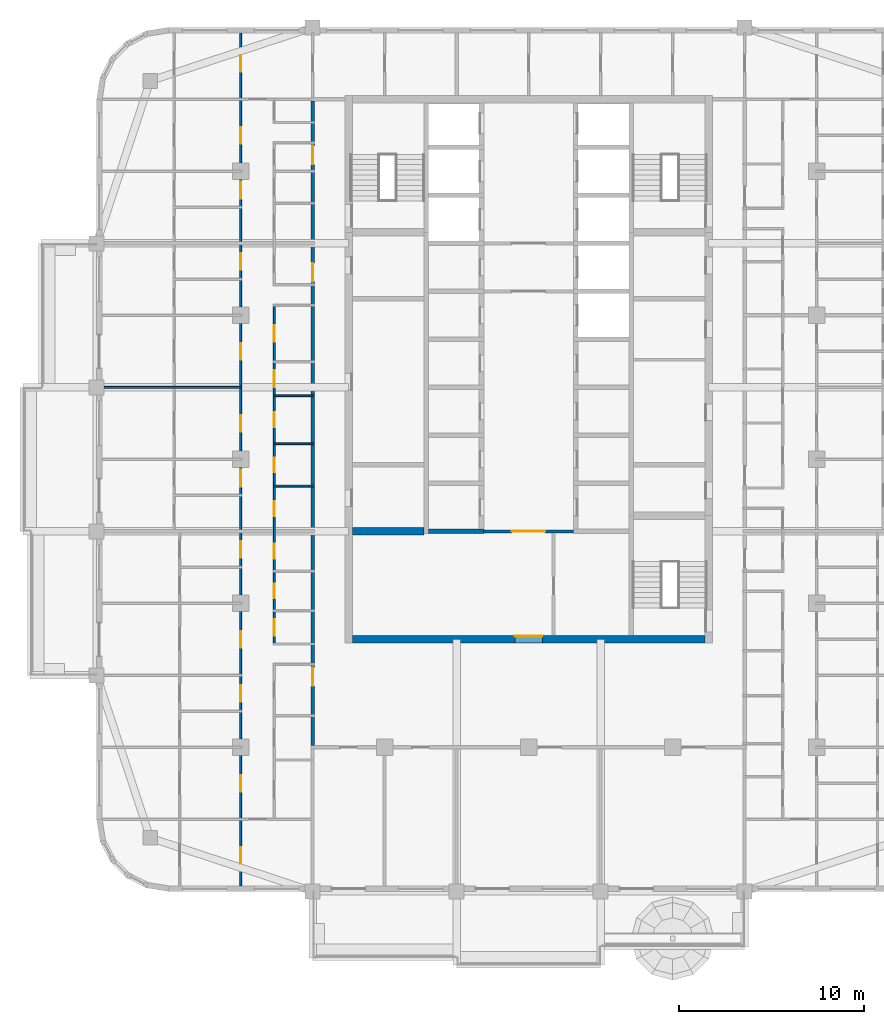
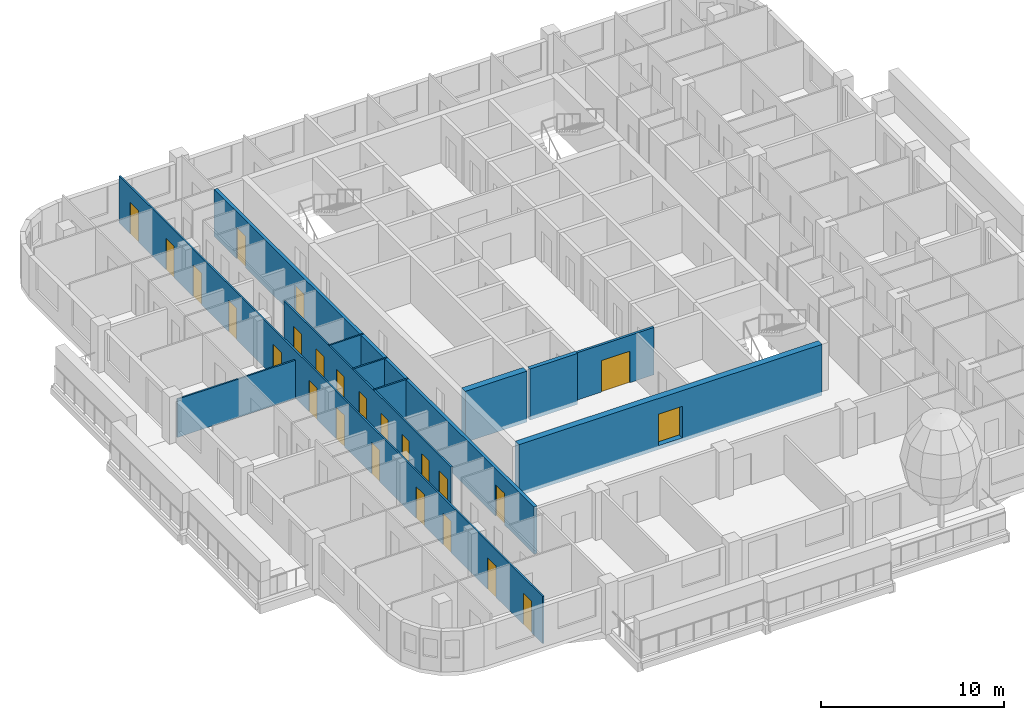
# One storey, part 4 of 17: 25 doors, 11 walls, 25 openings.
"""IFC4 building model written with IfcOpenShell, lengths in metres."""

from ifc_helpers import new_model, si_unit, direction, frame, frame_2d, origin, place, context, subcontext, project, spatial, rectangle, extrude, material, layer, layer_set, type_object, element, fill, save


model = new_model("IFC4")

# Units and contexts
model_context = context("Model", 3, precision=1e-05, world=origin(), true_north=direction((0.0, 1.0)))
body_context = subcontext(model_context, "Body", "Model", "MODEL_VIEW")
ifc_project = project(units=[si_unit("LENGTHUNIT", "METRE"), si_unit("AREAUNIT", "SQUARE_METRE"), si_unit("VOLUMEUNIT", "CUBIC_METRE"), si_unit("PLANEANGLEUNIT", "RADIAN"), si_unit("MASSUNIT", "GRAM", prefix="KILO")], contexts=[model_context])

# Site, building, storey
site_placement = place(None, origin())
site = spatial("IfcSite", under=ifc_project, at=site_placement, CompositionType="ELEMENT")
building_placement = place(site_placement, origin())
building = spatial("IfcBuilding", under=site, at=building_placement, Name="Ludao Terraces", CompositionType="ELEMENT")
storey_placement = place(building_placement, frame((0.0, 0.0, 210.89990234375)))
storey = spatial("IfcBuildingStorey", under=building, at=storey_placement, Name="L57", CompositionType="ELEMENT", Elevation=210.89990234375)

# Wall, opening, door
ifc_material_1 = material(Name="Concrete C50", Category="concrete")
ifc_layer_1 = layer(ifc_material_1, 0.39990234375)
ifc_layer_set_1 = layer_set([ifc_layer_1], Name="Core wall 400 C50")
wall_type_1 = type_object("IfcWallType", Name="Core wall 400 C50", PredefinedType="SOLIDWALL", material=ifc_layer_set_1)
wall_1_placement = place(storey_placement, frame((75.449951171875, 55.25, -0.25), z_axis=(0.0, 0.0, 1.0), x_axis=(1.0, 0.0, 0.0)))
wall_1 = element("IfcWall", 1, at=wall_1_placement, inside=storey, type_object=wall_type_1, Name="Core wall L57 outer-S", PredefinedType="SOLIDWALL", context=body_context, shape_type="SweptSolid", body=[
    extrude(rectangle(XDim=19.10009765625, YDim=0.39990234375, at=frame_2d((9.550048828125, 0.0))), origin(), (0.0, 0.0, 1.0), 3.400146484375),
])
opening_1_placement = place(wall_1_placement, frame((8.800048828125, 0.0, 0.25)))
opening_1 = element("IfcOpeningElement", 2, at=opening_1_placement, cuts=wall_1, Name="Opening R20-032", PredefinedType="OPENING", context=body_context, shape_type="SweptSolid", body=[
    extrude(rectangle(XDim=1.5, YDim=2.10009765625, at=frame_2d((0.75, 1.050048828125))), frame((0.0, 0.2099609375, 0.0), z_axis=(0.0, -1.0, 0.0), x_axis=(1.0, 0.0, 0.0)), (0.0, 0.0, 1.0), 0.419921875),
])
ifc_material_2 = material(Name="Steel Q235", Category="steel")
door_type_1 = type_object("IfcDoorType", Name="INT Lobby door 1500", OperationType="DOUBLE_DOOR_SINGLE_SWING", PredefinedType="DOOR", material=ifc_material_2)
door_1_placement = place(opening_1_placement, origin())
door_1 = element("IfcDoor", 3, at=door_1_placement, inside=storey, type_object=door_type_1, Name="DOOR 032", OperationType="DOUBLE_DOOR_SINGLE_SWING", OverallHeight=2.10009765625, OverallWidth=1.5, PredefinedType="DOOR", context=body_context, shape_type="SweptSolid", body=[
    extrude(rectangle(XDim=1.5, YDim=2.10009765625, at=frame_2d((0.75, 1.050048828125))), frame((0.0, 0.18505859375, 0.0), z_axis=(0.0, -1.0, 0.0), x_axis=(1.0, 0.0, 0.0)), (0.0, 0.0, 1.0), 0.050048828125),
])
fill(opening_1, door_1)

ifc_material_3 = material(Name="Fire-rated gypsum plasterboard", Category="gypsum")
ifc_layer_2 = layer(ifc_material_3, 0.012451171875, Category="gypsum")
ifc_material_4 = material(Name="Mineral wool")
ifc_layer_3 = layer(ifc_material_4, 0.10009765625, Name="insulation")
ifc_layer_4 = layer(ifc_material_2, 0.02490234375, Name="stud")
ifc_layer_5 = layer(ifc_material_3, 0.012451171875, Category="gypsum")
ifc_layer_set_2 = layer_set([ifc_layer_2, ifc_layer_3, ifc_layer_4, ifc_layer_5], Name="INT Core partition 150")
wall_type_2 = type_object("IfcWallType", Name="INT Core partition 150", PredefinedType="PARTITIONING", material=ifc_layer_set_2)
wall_2_placement = place(storey_placement, frame((82.5751953125, 61.10009765625, 0.0), z_axis=(0.0, 0.0, 1.0), x_axis=(1.0, 0.0, 0.0)))
wall_2 = element("IfcWall", 4, at=wall_2_placement, inside=storey, type_object=wall_type_2, Name="PW-L57-PW027", PredefinedType="PARTITIONING", context=body_context, shape_type="SweptSolid", body=[
    extrude(rectangle(XDim=4.849853515625, YDim=0.14990234375, at=frame_2d((2.4248046875, 0.0))), origin(), (0.0, 0.0, 1.0), 3.150146484375),
])
opening_2_placement = place(wall_2_placement, frame((1.52490234375, 0.0, 0.0)))
opening_2 = element("IfcOpeningElement", 5, at=opening_2_placement, cuts=wall_2, Name="Opening R20-049", PredefinedType="OPENING", context=body_context, shape_type="SweptSolid", body=[
    extrude(rectangle(XDim=1.800048828125, YDim=2.10009765625, at=frame_2d((0.89990234375, 1.050048828125))), frame((0.0, 0.0849609375, 0.0), z_axis=(0.0, -1.0, 0.0), x_axis=(1.0, 0.0, 0.0)), (0.0, 0.0, 1.0), 0.169921875),
])
door_type_2 = type_object("IfcDoorType", Name="INT Fire lobby door 1800", OperationType="DOUBLE_DOOR_SINGLE_SWING", PredefinedType="DOOR", material=ifc_material_2)
door_2_placement = place(opening_2_placement, origin())
door_2 = element("IfcDoor", 6, at=door_2_placement, inside=storey, type_object=door_type_2, Name="DOOR 049", OperationType="DOUBLE_DOOR_SINGLE_SWING", OverallHeight=2.10009765625, OverallWidth=1.800048828125, PredefinedType="DOOR", context=body_context, shape_type="SweptSolid", body=[
    extrude(rectangle(XDim=1.800048828125, YDim=2.10009765625, at=frame_2d((0.89990234375, 1.050048828125))), frame((0.0, 0.02490234375, 0.0), z_axis=(0.0, -1.0, 0.0), x_axis=(1.0, 0.0, 0.0)), (0.0, 0.0, 1.0), 0.050048828125),
])
fill(opening_2, door_2)

# Wall, openings, doors
ifc_material_5 = material(Name="Autoclaved aerated concrete block B06 A3.5", Category="concrete")
ifc_layer_6 = layer(ifc_material_5, 0.199951171875)
ifc_layer_set_3 = layer_set([ifc_layer_6], Name="INT Entrance wall 200")
wall_type_3 = type_object("IfcWallType", Name="INT Entrance wall 200", PredefinedType="PARTITIONING", material=ifc_layer_set_3)
wall_3_placement = place(storey_placement, frame((73.300048828125, 49.5, 0.0), z_axis=(0.0, 0.0, 1.0), x_axis=(0.0, 1.0, 0.0)))
wall_3 = element("IfcWall", 7, at=wall_3_placement, inside=storey, type_object=wall_type_3, Name="PW-L57-PW078", PredefinedType="PARTITIONING", context=body_context, shape_type="SweptSolid", body=[
    extrude(rectangle(XDim=34.900146484375, YDim=0.199951171875, at=frame_2d((17.4501953125, 0.0))), origin(), (0.0, 0.0, 1.0), 3.150146484375),
])
opening_3_placement = place(wall_3_placement, frame((3.22509765625, 0.0, 0.0)))
opening_3 = element("IfcOpeningElement", 8, at=opening_3_placement, cuts=wall_3, Name="Opening R20-027", PredefinedType="OPENING", context=body_context, shape_type="SweptSolid", body=[
    extrude(rectangle(XDim=1.0, YDim=2.10009765625, at=frame_2d((0.5, 1.050048828125))), frame((0.0, 0.10986328125, 0.0), z_axis=(0.0, -1.0, 0.0), x_axis=(1.0, 0.0, 0.0)), (0.0, 0.0, 1.0), 0.219970703125),
])
opening_4_placement = place(wall_3_placement, frame((25.125, 0.0, 0.0)))
opening_4 = element("IfcOpeningElement", 9, at=opening_4_placement, cuts=wall_3, Name="Opening R20-093", PredefinedType="OPENING", context=body_context, shape_type="SweptSolid", body=[
    extrude(rectangle(XDim=1.0, YDim=2.10009765625, at=frame_2d((0.5, 1.050048828125))), frame((0.0, 0.10986328125, 0.0), z_axis=(0.0, -1.0, 0.0), x_axis=(1.0, 0.0, 0.0)), (0.0, 0.0, 1.0), 0.219970703125),
])
opening_5_placement = place(wall_3_placement, frame((31.47509765625, 0.0, 0.0)))
opening_5 = element("IfcOpeningElement", 10, at=opening_5_placement, cuts=wall_3, Name="Opening R20-121", PredefinedType="OPENING", context=body_context, shape_type="SweptSolid", body=[
    extrude(rectangle(XDim=1.0, YDim=2.10009765625, at=frame_2d((0.5, 1.050048828125))), frame((0.0, 0.10986328125, 0.0), z_axis=(0.0, -1.0, 0.0), x_axis=(1.0, 0.0, 0.0)), (0.0, 0.0, 1.0), 0.219970703125),
])
door_type_3 = type_object("IfcDoorType", Name="INT Flat entrance door 1000", OperationType="SINGLE_SWING_LEFT", PredefinedType="DOOR", material=ifc_material_2)
door_3_placement = place(opening_3_placement, origin())
door_3 = element("IfcDoor", 11, at=door_3_placement, inside=storey, type_object=door_type_3, Name="DOOR 027", OperationType="SINGLE_SWING_LEFT", OverallHeight=2.10009765625, OverallWidth=1.0, PredefinedType="DOOR", context=body_context, shape_type="SweptSolid", body=[
    extrude(rectangle(XDim=1.0, YDim=2.10009765625, at=frame_2d((0.5, 1.050048828125))), frame((0.0, 0.02490234375, 0.0), z_axis=(0.0, -1.0, 0.0), x_axis=(1.0, 0.0, 0.0)), (0.0, 0.0, 1.0), 0.050048828125),
])
fill(opening_3, door_3)
door_4_placement = place(opening_4_placement, origin())
door_4 = element("IfcDoor", 12, at=door_4_placement, inside=storey, type_object=door_type_3, Name="DOOR 093", OperationType="SINGLE_SWING_RIGHT", OverallHeight=2.10009765625, OverallWidth=1.0, PredefinedType="DOOR", context=body_context, shape_type="SweptSolid", body=[
    extrude(rectangle(XDim=1.0, YDim=2.10009765625, at=frame_2d((0.5, 1.050048828125))), frame((0.0, 0.02490234375, 0.0), z_axis=(0.0, -1.0, 0.0), x_axis=(1.0, 0.0, 0.0)), (0.0, 0.0, 1.0), 0.050048828125),
])
fill(opening_4, door_4)
door_5_placement = place(opening_5_placement, origin())
door_5 = element("IfcDoor", 13, at=door_5_placement, inside=storey, type_object=door_type_3, Name="DOOR 121", OperationType="SINGLE_SWING_LEFT", OverallHeight=2.10009765625, OverallWidth=1.0, PredefinedType="DOOR", context=body_context, shape_type="SweptSolid", body=[
    extrude(rectangle(XDim=1.0, YDim=2.10009765625, at=frame_2d((0.5, 1.050048828125))), frame((0.0, 0.02490234375, 0.0), z_axis=(0.0, -1.0, 0.0), x_axis=(1.0, 0.0, 0.0)), (0.0, 0.0, 1.0), 0.050048828125),
])
fill(opening_5, door_5)

# Walls
ifc_material_6 = material(Name="Gypsum plasterboard", Category="gypsum")
ifc_layer_7 = layer(ifc_material_6, 0.012451171875, Category="gypsum")
ifc_layer_8 = layer(ifc_material_4, 0.06005859375, Name="insulation")
ifc_layer_9 = layer(ifc_material_2, 0.014892578125, Name="stud")
ifc_layer_10 = layer(ifc_material_6, 0.012451171875, Category="gypsum")
ifc_layer_set_4 = layer_set([ifc_layer_7, ifc_layer_8, ifc_layer_9, ifc_layer_10], Name="INT Partition 100")
wall_type_4 = type_object("IfcWallType", Name="INT Partition 100", PredefinedType="PARTITIONING", material=ifc_layer_set_4)
for number, where, z_axis, x_axis, name in (
    (14, (71.18017578125, 63.550048828125, 0.0), (0.0, 0.0, 1.0), (1.0, 0.0, 0.0), "PW-L57-PW032"),
    (15, (71.18017578125, 65.85009765625, 0.0), (0.0, 0.0, 1.0), (1.0, 0.0, 0.0), "PW-L57-PW035"),
    (16, (71.18017578125, 68.449951171875, 0.0), (0.0, 0.0, 1.0), (1.0, 0.0, 0.0), "PW-L57-PW037"),
):
    element("IfcWall", number, at=place(storey_placement, frame(where, z_axis=z_axis, x_axis=x_axis)), inside=storey, type_object=wall_type_4, Name=name, PredefinedType="PARTITIONING", context=body_context, shape_type="SweptSolid", body=[
        extrude(rectangle(XDim=2.219970703125, YDim=0.10009765625, at=frame_2d((1.10986328125, 0.0))), origin(), (0.0, 0.0, 1.0), 3.150146484375),
    ])
wall_4_placement = place(storey_placement, frame((61.900146484375, 68.89990234375, 0.0), z_axis=(0.0, 0.0, 1.0), x_axis=(1.0, 0.0, 0.0)))
element("IfcWall", 17, at=wall_4_placement, inside=storey, type_object=wall_type_4, Name="PW-L57-PW038", PredefinedType="PARTITIONING", context=body_context, shape_type="SweptSolid", body=[
    extrude(rectangle(XDim=7.550048828125, YDim=0.10009765625, at=frame_2d((3.77490234375, 0.0))), origin(), (0.0, 0.0, 1.0), 2.550048828125),
])

# Wall, openings, doors
wall_5_placement = place(storey_placement, frame((69.39990234375, 41.900146484375, 0.0), z_axis=(0.0, 0.0, 1.0), x_axis=(0.0, 1.0, 0.0)))
wall_5 = element("IfcWall", 18, at=wall_5_placement, inside=storey, type_object=wall_type_4, Name="PW-L57-PW072", PredefinedType="PARTITIONING", context=body_context, shape_type="SweptSolid", body=[
    extrude(rectangle(XDim=46.199951171875, YDim=0.10009765625, at=frame_2d((23.10009765625, 0.0))), origin(), (0.0, 0.0, 1.0), 3.150146484375),
])
opening_6_placement = place(wall_5_placement, frame((1.199951171875, 0.0, 0.0)))
opening_6 = element("IfcOpeningElement", 19, at=opening_6_placement, cuts=wall_5, Name="Opening R20-002", PredefinedType="OPENING", context=body_context, shape_type="SweptSolid", body=[
    extrude(rectangle(XDim=0.89990234375, YDim=2.10009765625, at=frame_2d((0.449951171875, 1.050048828125))), frame((0.0, 0.06005859375, 0.0), z_axis=(0.0, -1.0, 0.0), x_axis=(1.0, 0.0, 0.0)), (0.0, 0.0, 1.0), 0.1201171875),
])
opening_7_placement = place(wall_5_placement, frame((5.10009765625, 0.0, 0.0)))
opening_7 = element("IfcOpeningElement", 20, at=opening_7_placement, cuts=wall_5, Name="Opening R20-011", PredefinedType="OPENING", context=body_context, shape_type="SweptSolid", body=[
    extrude(rectangle(XDim=0.89990234375, YDim=2.10009765625, at=frame_2d((0.449951171875, 1.050048828125))), frame((0.0, 0.06005859375, 0.0), z_axis=(0.0, -1.0, 0.0), x_axis=(1.0, 0.0, 0.0)), (0.0, 0.0, 1.0), 0.1201171875),
])
opening_8_placement = place(wall_5_placement, frame((9.97509765625, 0.0, 0.0)))
opening_8 = element("IfcOpeningElement", 21, at=opening_8_placement, cuts=wall_5, Name="Opening R20-025", PredefinedType="OPENING", context=body_context, shape_type="SweptSolid", body=[
    extrude(rectangle(XDim=0.89990234375, YDim=2.10009765625, at=frame_2d((0.449951171875, 1.050048828125))), frame((0.0, 0.06005859375, 0.0), z_axis=(0.0, -1.0, 0.0), x_axis=(1.0, 0.0, 0.0)), (0.0, 0.0, 1.0), 0.1201171875),
])
opening_9_placement = place(wall_5_placement, frame((12.89990234375, 0.0, 0.0)))
opening_9 = element("IfcOpeningElement", 22, at=opening_9_placement, cuts=wall_5, Name="Opening R20-031", PredefinedType="OPENING", context=body_context, shape_type="SweptSolid", body=[
    extrude(rectangle(XDim=0.89990234375, YDim=2.10009765625, at=frame_2d((0.449951171875, 1.050048828125))), frame((0.0, 0.06005859375, 0.0), z_axis=(0.0, -1.0, 0.0), x_axis=(1.0, 0.0, 0.0)), (0.0, 0.0, 1.0), 0.1201171875),
])
opening_10_placement = place(wall_5_placement, frame((17.77490234375, 0.0, 0.0)))
opening_10 = element("IfcOpeningElement", 23, at=opening_10_placement, cuts=wall_5, Name="Opening R20-046", PredefinedType="OPENING", context=body_context, shape_type="SweptSolid", body=[
    extrude(rectangle(XDim=0.89990234375, YDim=2.10009765625, at=frame_2d((0.449951171875, 1.050048828125))), frame((0.0, 0.06005859375, 0.0), z_axis=(0.0, -1.0, 0.0), x_axis=(1.0, 0.0, 0.0)), (0.0, 0.0, 1.0), 0.1201171875),
])
opening_11_placement = place(wall_5_placement, frame((21.625, 0.0, 0.0)))
opening_11 = element("IfcOpeningElement", 24, at=opening_11_placement, cuts=wall_5, Name="Opening R20-059", PredefinedType="OPENING", context=body_context, shape_type="SweptSolid", body=[
    extrude(rectangle(XDim=0.89990234375, YDim=2.10009765625, at=frame_2d((0.449951171875, 1.050048828125))), frame((0.0, 0.06005859375, 0.0), z_axis=(0.0, -1.0, 0.0), x_axis=(1.0, 0.0, 0.0)), (0.0, 0.0, 1.0), 0.1201171875),
])
opening_12_placement = place(wall_5_placement, frame((24.60009765625, 0.0, 0.0)))
opening_12 = element("IfcOpeningElement", 25, at=opening_12_placement, cuts=wall_5, Name="Opening R20-067", PredefinedType="OPENING", context=body_context, shape_type="SweptSolid", body=[
    extrude(rectangle(XDim=0.89990234375, YDim=2.10009765625, at=frame_2d((0.449951171875, 1.050048828125))), frame((0.0, 0.06005859375, 0.0), z_axis=(0.0, -1.0, 0.0), x_axis=(1.0, 0.0, 0.0)), (0.0, 0.0, 1.0), 0.1201171875),
])
opening_13_placement = place(wall_5_placement, frame((28.5, 0.0, 0.0)))
opening_13 = element("IfcOpeningElement", 26, at=opening_13_placement, cuts=wall_5, Name="Opening R20-081", PredefinedType="OPENING", context=body_context, shape_type="SweptSolid", body=[
    extrude(rectangle(XDim=0.89990234375, YDim=2.10009765625, at=frame_2d((0.449951171875, 1.050048828125))), frame((0.0, 0.06005859375, 0.0), z_axis=(0.0, -1.0, 0.0), x_axis=(1.0, 0.0, 0.0)), (0.0, 0.0, 1.0), 0.1201171875),
])
opening_14_placement = place(wall_5_placement, frame((33.375, 0.0, 0.0)))
opening_14 = element("IfcOpeningElement", 27, at=opening_14_placement, cuts=wall_5, Name="Opening R20-100", PredefinedType="OPENING", context=body_context, shape_type="SweptSolid", body=[
    extrude(rectangle(XDim=0.89990234375, YDim=2.10009765625, at=frame_2d((0.449951171875, 1.050048828125))), frame((0.0, 0.06005859375, 0.0), z_axis=(0.0, -1.0, 0.0), x_axis=(1.0, 0.0, 0.0)), (0.0, 0.0, 1.0), 0.1201171875),
])
opening_15_placement = place(wall_5_placement, frame((37.22509765625, 0.0, 0.0)))
opening_15 = element("IfcOpeningElement", 28, at=opening_15_placement, cuts=wall_5, Name="Opening R20-114", PredefinedType="OPENING", context=body_context, shape_type="SweptSolid", body=[
    extrude(rectangle(XDim=0.89990234375, YDim=2.10009765625, at=frame_2d((0.449951171875, 1.050048828125))), frame((0.0, 0.06005859375, 0.0), z_axis=(0.0, -1.0, 0.0), x_axis=(1.0, 0.0, 0.0)), (0.0, 0.0, 1.0), 0.1201171875),
])
opening_16_placement = place(wall_5_placement, frame((40.199951171875, 0.0, 0.0)))
opening_16 = element("IfcOpeningElement", 29, at=opening_16_placement, cuts=wall_5, Name="Opening R20-124", PredefinedType="OPENING", context=body_context, shape_type="SweptSolid", body=[
    extrude(rectangle(XDim=0.89990234375, YDim=2.10009765625, at=frame_2d((0.449951171875, 1.050048828125))), frame((0.0, 0.06005859375, 0.0), z_axis=(0.0, -1.0, 0.0), x_axis=(1.0, 0.0, 0.0)), (0.0, 0.0, 1.0), 0.1201171875),
])
opening_17_placement = place(wall_5_placement, frame((44.10009765625, 0.0, 0.0)))
opening_17 = element("IfcOpeningElement", 30, at=opening_17_placement, cuts=wall_5, Name="Opening R20-134", PredefinedType="OPENING", context=body_context, shape_type="SweptSolid", body=[
    extrude(rectangle(XDim=0.89990234375, YDim=2.10009765625, at=frame_2d((0.449951171875, 1.050048828125))), frame((0.0, 0.06005859375, 0.0), z_axis=(0.0, -1.0, 0.0), x_axis=(1.0, 0.0, 0.0)), (0.0, 0.0, 1.0), 0.1201171875),
])
ifc_material_7 = material(Name="Timber door leaf", Category="wood")
door_type_4 = type_object("IfcDoorType", Name="INT Room door 900", OperationType="SINGLE_SWING_LEFT", PredefinedType="DOOR", material=ifc_material_7)
door_6_placement = place(opening_6_placement, origin())
door_6 = element("IfcDoor", 31, at=door_6_placement, inside=storey, type_object=door_type_4, Name="DOOR 002", OperationType="SINGLE_SWING_LEFT", OverallHeight=2.10009765625, OverallWidth=0.89990234375, PredefinedType="DOOR", context=body_context, shape_type="SweptSolid", body=[
    extrude(rectangle(XDim=0.89990234375, YDim=2.10009765625, at=frame_2d((0.449951171875, 1.050048828125))), frame((0.0, 0.02490234375, 0.0), z_axis=(0.0, -1.0, 0.0), x_axis=(1.0, 0.0, 0.0)), (0.0, 0.0, 1.0), 0.050048828125),
])
fill(opening_6, door_6)
door_7_placement = place(opening_7_placement, origin())
door_7 = element("IfcDoor", 32, at=door_7_placement, inside=storey, type_object=door_type_4, Name="DOOR 011", OperationType="SINGLE_SWING_RIGHT", OverallHeight=2.10009765625, OverallWidth=0.89990234375, PredefinedType="DOOR", context=body_context, shape_type="SweptSolid", body=[
    extrude(rectangle(XDim=0.89990234375, YDim=2.10009765625, at=frame_2d((0.449951171875, 1.050048828125))), frame((0.0, 0.02490234375, 0.0), z_axis=(0.0, -1.0, 0.0), x_axis=(1.0, 0.0, 0.0)), (0.0, 0.0, 1.0), 0.050048828125),
])
fill(opening_7, door_7)
door_8_placement = place(opening_8_placement, origin())
door_8 = element("IfcDoor", 33, at=door_8_placement, inside=storey, type_object=door_type_4, Name="DOOR 025", OperationType="SINGLE_SWING_RIGHT", OverallHeight=2.10009765625, OverallWidth=0.89990234375, PredefinedType="DOOR", context=body_context, shape_type="SweptSolid", body=[
    extrude(rectangle(XDim=0.89990234375, YDim=2.10009765625, at=frame_2d((0.449951171875, 1.050048828125))), frame((0.0, 0.02490234375, 0.0), z_axis=(0.0, -1.0, 0.0), x_axis=(1.0, 0.0, 0.0)), (0.0, 0.0, 1.0), 0.050048828125),
])
fill(opening_8, door_8)
door_9_placement = place(opening_9_placement, origin())
door_9 = element("IfcDoor", 34, at=door_9_placement, inside=storey, type_object=door_type_4, Name="DOOR 031", OperationType="SINGLE_SWING_LEFT", OverallHeight=2.10009765625, OverallWidth=0.89990234375, PredefinedType="DOOR", context=body_context, shape_type="SweptSolid", body=[
    extrude(rectangle(XDim=0.89990234375, YDim=2.10009765625, at=frame_2d((0.449951171875, 1.050048828125))), frame((0.0, 0.02490234375, 0.0), z_axis=(0.0, -1.0, 0.0), x_axis=(1.0, 0.0, 0.0)), (0.0, 0.0, 1.0), 0.050048828125),
])
fill(opening_9, door_9)
door_10_placement = place(opening_10_placement, origin())
door_10 = element("IfcDoor", 35, at=door_10_placement, inside=storey, type_object=door_type_4, Name="DOOR 046", OperationType="SINGLE_SWING_LEFT", OverallHeight=2.10009765625, OverallWidth=0.89990234375, PredefinedType="DOOR", context=body_context, shape_type="SweptSolid", body=[
    extrude(rectangle(XDim=0.89990234375, YDim=2.10009765625, at=frame_2d((0.449951171875, 1.050048828125))), frame((0.0, 0.02490234375, 0.0), z_axis=(0.0, -1.0, 0.0), x_axis=(1.0, 0.0, 0.0)), (0.0, 0.0, 1.0), 0.050048828125),
])
fill(opening_10, door_10)
door_11_placement = place(opening_11_placement, origin())
door_11 = element("IfcDoor", 36, at=door_11_placement, inside=storey, type_object=door_type_4, Name="DOOR 059", OperationType="SINGLE_SWING_LEFT", OverallHeight=2.10009765625, OverallWidth=0.89990234375, PredefinedType="DOOR", context=body_context, shape_type="SweptSolid", body=[
    extrude(rectangle(XDim=0.89990234375, YDim=2.10009765625, at=frame_2d((0.449951171875, 1.050048828125))), frame((0.0, 0.02490234375, 0.0), z_axis=(0.0, -1.0, 0.0), x_axis=(1.0, 0.0, 0.0)), (0.0, 0.0, 1.0), 0.050048828125),
])
fill(opening_11, door_11)
door_12_placement = place(opening_12_placement, origin())
door_12 = element("IfcDoor", 37, at=door_12_placement, inside=storey, type_object=door_type_4, Name="DOOR 067", OperationType="SINGLE_SWING_LEFT", OverallHeight=2.10009765625, OverallWidth=0.89990234375, PredefinedType="DOOR", context=body_context, shape_type="SweptSolid", body=[
    extrude(rectangle(XDim=0.89990234375, YDim=2.10009765625, at=frame_2d((0.449951171875, 1.050048828125))), frame((0.0, 0.02490234375, 0.0), z_axis=(0.0, -1.0, 0.0), x_axis=(1.0, 0.0, 0.0)), (0.0, 0.0, 1.0), 0.050048828125),
])
fill(opening_12, door_12)
door_13_placement = place(opening_13_placement, origin())
door_13 = element("IfcDoor", 38, at=door_13_placement, inside=storey, type_object=door_type_4, Name="DOOR 081", OperationType="SINGLE_SWING_RIGHT", OverallHeight=2.10009765625, OverallWidth=0.89990234375, PredefinedType="DOOR", context=body_context, shape_type="SweptSolid", body=[
    extrude(rectangle(XDim=0.89990234375, YDim=2.10009765625, at=frame_2d((0.449951171875, 1.050048828125))), frame((0.0, 0.02490234375, 0.0), z_axis=(0.0, -1.0, 0.0), x_axis=(1.0, 0.0, 0.0)), (0.0, 0.0, 1.0), 0.050048828125),
])
fill(opening_13, door_13)
door_14_placement = place(opening_14_placement, origin())
door_14 = element("IfcDoor", 39, at=door_14_placement, inside=storey, type_object=door_type_4, Name="DOOR 100", OperationType="SINGLE_SWING_RIGHT", OverallHeight=2.10009765625, OverallWidth=0.89990234375, PredefinedType="DOOR", context=body_context, shape_type="SweptSolid", body=[
    extrude(rectangle(XDim=0.89990234375, YDim=2.10009765625, at=frame_2d((0.449951171875, 1.050048828125))), frame((0.0, 0.02490234375, 0.0), z_axis=(0.0, -1.0, 0.0), x_axis=(1.0, 0.0, 0.0)), (0.0, 0.0, 1.0), 0.050048828125),
])
fill(opening_14, door_14)
door_15_placement = place(opening_15_placement, origin())
door_15 = element("IfcDoor", 40, at=door_15_placement, inside=storey, type_object=door_type_4, Name="DOOR 114", OperationType="SINGLE_SWING_LEFT", OverallHeight=2.10009765625, OverallWidth=0.89990234375, PredefinedType="DOOR", context=body_context, shape_type="SweptSolid", body=[
    extrude(rectangle(XDim=0.89990234375, YDim=2.10009765625, at=frame_2d((0.449951171875, 1.050048828125))), frame((0.0, 0.02490234375, 0.0), z_axis=(0.0, -1.0, 0.0), x_axis=(1.0, 0.0, 0.0)), (0.0, 0.0, 1.0), 0.050048828125),
])
fill(opening_15, door_15)
door_16_placement = place(opening_16_placement, origin())
door_16 = element("IfcDoor", 41, at=door_16_placement, inside=storey, type_object=door_type_4, Name="DOOR 124", OperationType="SINGLE_SWING_RIGHT", OverallHeight=2.10009765625, OverallWidth=0.89990234375, PredefinedType="DOOR", context=body_context, shape_type="SweptSolid", body=[
    extrude(rectangle(XDim=0.89990234375, YDim=2.10009765625, at=frame_2d((0.449951171875, 1.050048828125))), frame((0.0, 0.02490234375, 0.0), z_axis=(0.0, -1.0, 0.0), x_axis=(1.0, 0.0, 0.0)), (0.0, 0.0, 1.0), 0.050048828125),
])
fill(opening_16, door_16)
door_17_placement = place(opening_17_placement, origin())
door_17 = element("IfcDoor", 42, at=door_17_placement, inside=storey, type_object=door_type_4, Name="DOOR 134", OperationType="SINGLE_SWING_RIGHT", OverallHeight=2.10009765625, OverallWidth=0.89990234375, PredefinedType="DOOR", context=body_context, shape_type="SweptSolid", body=[
    extrude(rectangle(XDim=0.89990234375, YDim=2.10009765625, at=frame_2d((0.449951171875, 1.050048828125))), frame((0.0, 0.02490234375, 0.0), z_axis=(0.0, -1.0, 0.0), x_axis=(1.0, 0.0, 0.0)), (0.0, 0.0, 1.0), 0.050048828125),
])
fill(opening_17, door_17)

wall_6_placement = place(storey_placement, frame((71.22998046875, 55.050048828125, 0.0), z_axis=(0.0, 0.0, 1.0), x_axis=(0.0, 1.0, 0.0)))
wall_6 = element("IfcWall", 43, at=wall_6_placement, inside=storey, type_object=wall_type_4, Name="PW-L57-PW074", PredefinedType="PARTITIONING", context=body_context, shape_type="SweptSolid", body=[
    extrude(rectangle(XDim=18.25, YDim=0.10009765625, at=frame_2d((9.125, 0.0))), origin(), (0.0, 0.0, 1.0), 3.150146484375),
])
opening_18_placement = place(wall_6_placement, frame((0.39990234375, 0.0, 0.0)))
opening_18 = element("IfcOpeningElement", 44, at=opening_18_placement, cuts=wall_6, Name="Opening R20-033", PredefinedType="OPENING", context=body_context, shape_type="SweptSolid", body=[
    extrude(rectangle(XDim=0.89990234375, YDim=2.10009765625, at=frame_2d((0.449951171875, 1.050048828125))), frame((0.0, 0.06005859375, 0.0), z_axis=(0.0, -1.0, 0.0), x_axis=(1.0, 0.0, 0.0)), (0.0, 0.0, 1.0), 0.1201171875),
])
opening_19_placement = place(wall_6_placement, frame((2.425048828125, 0.0, 0.0)))
opening_19 = element("IfcOpeningElement", 45, at=opening_19_placement, cuts=wall_6, Name="Opening R20-038", PredefinedType="OPENING", context=body_context, shape_type="SweptSolid", body=[
    extrude(rectangle(XDim=0.800048828125, YDim=2.10009765625, at=frame_2d((0.39990234375, 1.050048828125))), frame((0.0, 0.06005859375, 0.0), z_axis=(0.0, -1.0, 0.0), x_axis=(1.0, 0.0, 0.0)), (0.0, 0.0, 1.0), 0.1201171875),
])
opening_20_placement = place(wall_6_placement, frame((4.574951171875, 0.0, 0.0)))
opening_20 = element("IfcOpeningElement", 46, at=opening_20_placement, cuts=wall_6, Name="Opening R20-043", PredefinedType="OPENING", context=body_context, shape_type="SweptSolid", body=[
    extrude(rectangle(XDim=0.800048828125, YDim=2.10009765625, at=frame_2d((0.39990234375, 1.050048828125))), frame((0.0, 0.06005859375, 0.0), z_axis=(0.0, -1.0, 0.0), x_axis=(1.0, 0.0, 0.0)), (0.0, 0.0, 1.0), 0.1201171875),
])
opening_21_placement = place(wall_6_placement, frame((6.875, 0.0, 0.0)))
opening_21 = element("IfcOpeningElement", 47, at=opening_21_placement, cuts=wall_6, Name="Opening R20-052", PredefinedType="OPENING", context=body_context, shape_type="SweptSolid", body=[
    extrude(rectangle(XDim=0.800048828125, YDim=2.10009765625, at=frame_2d((0.39990234375, 1.050048828125))), frame((0.0, 0.06005859375, 0.0), z_axis=(0.0, -1.0, 0.0), x_axis=(1.0, 0.0, 0.0)), (0.0, 0.0, 1.0), 0.1201171875),
])
opening_22_placement = place(wall_6_placement, frame((9.25, 0.0, 0.0)))
opening_22 = element("IfcOpeningElement", 48, at=opening_22_placement, cuts=wall_6, Name="Opening R20-062", PredefinedType="OPENING", context=body_context, shape_type="SweptSolid", body=[
    extrude(rectangle(XDim=0.800048828125, YDim=2.10009765625, at=frame_2d((0.39990234375, 1.050048828125))), frame((0.0, 0.06005859375, 0.0), z_axis=(0.0, -1.0, 0.0), x_axis=(1.0, 0.0, 0.0)), (0.0, 0.0, 1.0), 0.1201171875),
])
opening_23_placement = place(wall_6_placement, frame((11.699951171875, 0.0, 0.0)))
opening_23 = element("IfcOpeningElement", 49, at=opening_23_placement, cuts=wall_6, Name="Opening R20-070", PredefinedType="OPENING", context=body_context, shape_type="SweptSolid", body=[
    extrude(rectangle(XDim=0.800048828125, YDim=2.10009765625, at=frame_2d((0.39990234375, 1.050048828125))), frame((0.0, 0.06005859375, 0.0), z_axis=(0.0, -1.0, 0.0), x_axis=(1.0, 0.0, 0.0)), (0.0, 0.0, 1.0), 0.1201171875),
])
opening_24_placement = place(wall_6_placement, frame((13.864990234375, 0.0, 0.0)))
opening_24 = element("IfcOpeningElement", 50, at=opening_24_placement, cuts=wall_6, Name="Opening R20-076", PredefinedType="OPENING", context=body_context, shape_type="SweptSolid", body=[
    extrude(rectangle(XDim=0.89990234375, YDim=2.10009765625, at=frame_2d((0.449951171875, 1.050048828125))), frame((0.0, 0.06005859375, 0.0), z_axis=(0.0, -1.0, 0.0), x_axis=(1.0, 0.0, 0.0)), (0.0, 0.0, 1.0), 0.1201171875),
])
opening_25_placement = place(wall_6_placement, frame((16.31494140625, 0.0, 0.0)))
opening_25 = element("IfcOpeningElement", 51, at=opening_25_placement, cuts=wall_6, Name="Opening R20-084", PredefinedType="OPENING", context=body_context, shape_type="SweptSolid", body=[
    extrude(rectangle(XDim=0.89990234375, YDim=2.10009765625, at=frame_2d((0.449951171875, 1.050048828125))), frame((0.0, 0.06005859375, 0.0), z_axis=(0.0, -1.0, 0.0), x_axis=(1.0, 0.0, 0.0)), (0.0, 0.0, 1.0), 0.1201171875),
])
door_type_5 = type_object("IfcDoorType", Name="INT Bathroom door 900", OperationType="SINGLE_SWING_LEFT", PredefinedType="DOOR", material=ifc_material_7)
door_18_placement = place(opening_18_placement, origin())
door_18 = element("IfcDoor", 52, at=door_18_placement, inside=storey, type_object=door_type_5, Name="DOOR 033", OperationType="SINGLE_SWING_RIGHT", OverallHeight=2.10009765625, OverallWidth=0.89990234375, PredefinedType="DOOR", context=body_context, shape_type="SweptSolid", body=[
    extrude(rectangle(XDim=0.89990234375, YDim=2.10009765625, at=frame_2d((0.449951171875, 1.050048828125))), frame((0.0, 0.02490234375, 0.0), z_axis=(0.0, -1.0, 0.0), x_axis=(1.0, 0.0, 0.0)), (0.0, 0.0, 1.0), 0.050048828125),
])
fill(opening_18, door_18)
door_19_placement = place(opening_24_placement, origin())
door_19 = element("IfcDoor", 53, at=door_19_placement, inside=storey, type_object=door_type_5, Name="DOOR 076", OperationType="SINGLE_SWING_RIGHT", OverallHeight=2.10009765625, OverallWidth=0.89990234375, PredefinedType="DOOR", context=body_context, shape_type="SweptSolid", body=[
    extrude(rectangle(XDim=0.89990234375, YDim=2.10009765625, at=frame_2d((0.449951171875, 1.050048828125))), frame((0.0, 0.02490234375, 0.0), z_axis=(0.0, -1.0, 0.0), x_axis=(1.0, 0.0, 0.0)), (0.0, 0.0, 1.0), 0.050048828125),
])
fill(opening_24, door_19)
door_20_placement = place(opening_25_placement, origin())
door_20 = element("IfcDoor", 54, at=door_20_placement, inside=storey, type_object=door_type_4, Name="DOOR 084", OperationType="SINGLE_SWING_LEFT", OverallHeight=2.10009765625, OverallWidth=0.89990234375, PredefinedType="DOOR", context=body_context, shape_type="SweptSolid", body=[
    extrude(rectangle(XDim=0.89990234375, YDim=2.10009765625, at=frame_2d((0.449951171875, 1.050048828125))), frame((0.0, 0.02490234375, 0.0), z_axis=(0.0, -1.0, 0.0), x_axis=(1.0, 0.0, 0.0)), (0.0, 0.0, 1.0), 0.050048828125),
])
fill(opening_25, door_20)
door_type_6 = type_object("IfcDoorType", Name="INT Store door 800", OperationType="SINGLE_SWING_LEFT", PredefinedType="DOOR", material=ifc_material_7)
door_21_placement = place(opening_19_placement, origin())
door_21 = element("IfcDoor", 55, at=door_21_placement, inside=storey, type_object=door_type_6, Name="DOOR 038", OperationType="SINGLE_SWING_RIGHT", OverallHeight=2.10009765625, OverallWidth=0.800048828125, PredefinedType="DOOR", context=body_context, shape_type="SweptSolid", body=[
    extrude(rectangle(XDim=0.800048828125, YDim=2.10009765625, at=frame_2d((0.39990234375, 1.050048828125))), frame((0.0, 0.02490234375, 0.0), z_axis=(0.0, -1.0, 0.0), x_axis=(1.0, 0.0, 0.0)), (0.0, 0.0, 1.0), 0.050048828125),
])
fill(opening_19, door_21)
door_22_placement = place(opening_20_placement, origin())
door_22 = element("IfcDoor", 56, at=door_22_placement, inside=storey, type_object=door_type_6, Name="DOOR 043", OperationType="SINGLE_SWING_LEFT", OverallHeight=2.10009765625, OverallWidth=0.800048828125, PredefinedType="DOOR", context=body_context, shape_type="SweptSolid", body=[
    extrude(rectangle(XDim=0.800048828125, YDim=2.10009765625, at=frame_2d((0.39990234375, 1.050048828125))), frame((0.0, 0.02490234375, 0.0), z_axis=(0.0, -1.0, 0.0), x_axis=(1.0, 0.0, 0.0)), (0.0, 0.0, 1.0), 0.050048828125),
])
fill(opening_20, door_22)
door_23_placement = place(opening_21_placement, origin())
door_23 = element("IfcDoor", 57, at=door_23_placement, inside=storey, type_object=door_type_6, Name="DOOR 052", OperationType="SINGLE_SWING_RIGHT", OverallHeight=2.10009765625, OverallWidth=0.800048828125, PredefinedType="DOOR", context=body_context, shape_type="SweptSolid", body=[
    extrude(rectangle(XDim=0.800048828125, YDim=2.10009765625, at=frame_2d((0.39990234375, 1.050048828125))), frame((0.0, 0.02490234375, 0.0), z_axis=(0.0, -1.0, 0.0), x_axis=(1.0, 0.0, 0.0)), (0.0, 0.0, 1.0), 0.050048828125),
])
fill(opening_21, door_23)
door_24_placement = place(opening_22_placement, origin())
door_24 = element("IfcDoor", 58, at=door_24_placement, inside=storey, type_object=door_type_6, Name="DOOR 062", OperationType="SINGLE_SWING_LEFT", OverallHeight=2.10009765625, OverallWidth=0.800048828125, PredefinedType="DOOR", context=body_context, shape_type="SweptSolid", body=[
    extrude(rectangle(XDim=0.800048828125, YDim=2.10009765625, at=frame_2d((0.39990234375, 1.050048828125))), frame((0.0, 0.02490234375, 0.0), z_axis=(0.0, -1.0, 0.0), x_axis=(1.0, 0.0, 0.0)), (0.0, 0.0, 1.0), 0.050048828125),
])
fill(opening_22, door_24)
door_25_placement = place(opening_23_placement, origin())
door_25 = element("IfcDoor", 59, at=door_25_placement, inside=storey, type_object=door_type_6, Name="DOOR 070", OperationType="SINGLE_SWING_RIGHT", OverallHeight=2.10009765625, OverallWidth=0.800048828125, PredefinedType="DOOR", context=body_context, shape_type="SweptSolid", body=[
    extrude(rectangle(XDim=0.800048828125, YDim=2.10009765625, at=frame_2d((0.39990234375, 1.050048828125))), frame((0.0, 0.02490234375, 0.0), z_axis=(0.0, -1.0, 0.0), x_axis=(1.0, 0.0, 0.0)), (0.0, 0.0, 1.0), 0.050048828125),
])
fill(opening_23, door_25)

# Walls
ifc_layer_11 = layer(ifc_material_1, 0.25)
ifc_layer_set_5 = layer_set([ifc_layer_11], Name="Shaft wall 250 C50")
wall_type_5 = type_object("IfcWallType", Name="Shaft wall 250 C50", PredefinedType="SOLIDWALL", material=ifc_layer_set_5)
wall_7_placement = place(storey_placement, frame((79.574951171875, 61.10009765625, -0.25), z_axis=(0.0, 0.0, 1.0), x_axis=(1.0, 0.0, 0.0)))
element("IfcWall", 60, at=wall_7_placement, inside=storey, type_object=wall_type_5, Name="Core wall L57 div-W1", PredefinedType="SOLIDWALL", context=body_context, shape_type="SweptSolid", body=[
    extrude(rectangle(XDim=3.0, YDim=0.25, at=frame_2d((1.5, 0.0))), origin(), (0.0, 0.0, 1.0), 3.400146484375),
])
ifc_layer_12 = layer(ifc_material_1, 0.39990234375)
ifc_layer_set_6 = layer_set([ifc_layer_12], Name="Shaft wall 400 C50")
wall_type_6 = type_object("IfcWallType", Name="Shaft wall 400 C50", PredefinedType="SOLIDWALL", material=ifc_layer_set_6)
wall_8_placement = place(storey_placement, frame((75.449951171875, 61.10009765625, -0.25), z_axis=(0.0, 0.0, 1.0), x_axis=(1.0, 0.0, 0.0)))
element("IfcWall", 61, at=wall_8_placement, inside=storey, type_object=wall_type_6, Name="Core wall L57 hall-W", PredefinedType="SOLIDWALL", context=body_context, shape_type="SweptSolid", body=[
    extrude(rectangle(XDim=3.875, YDim=0.39990234375, at=frame_2d((1.9375, 0.0))), origin(), (0.0, 0.0, 1.0), 3.400146484375),
])

save(model, "model.ifc")
